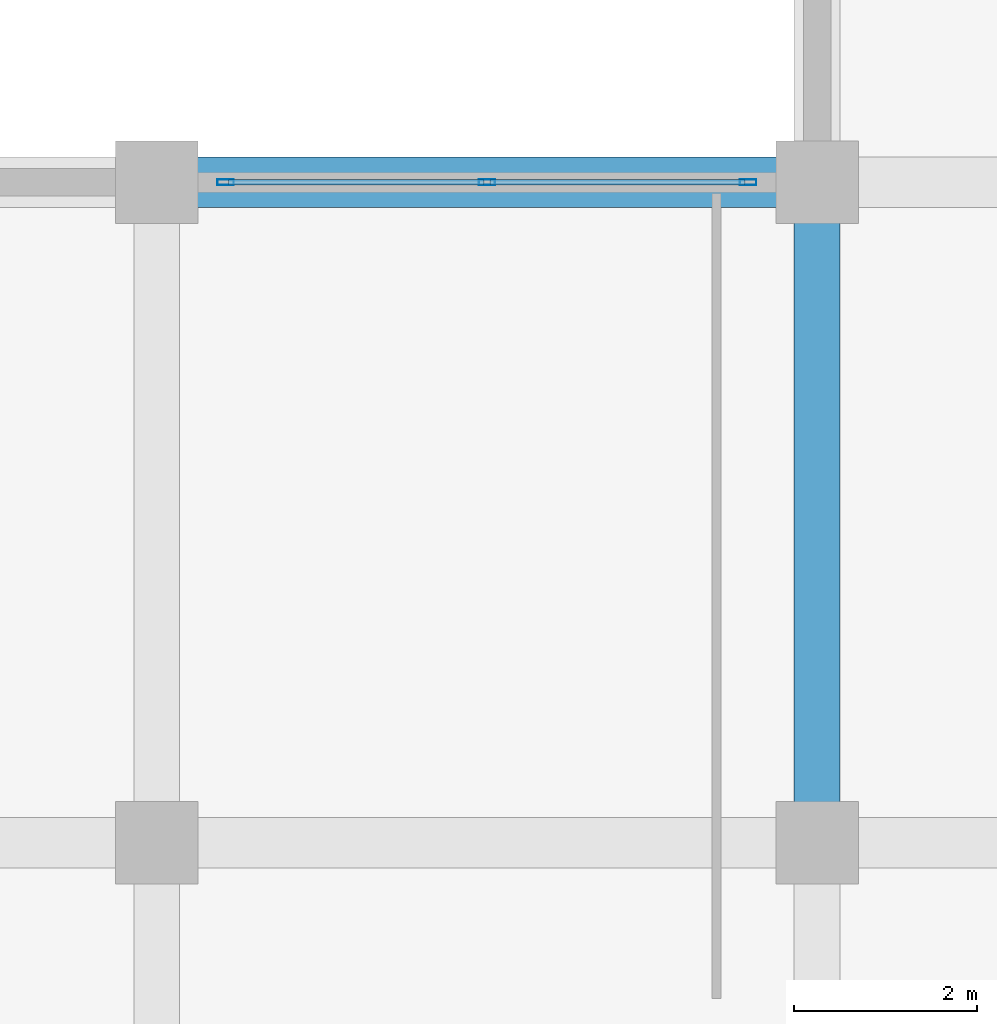
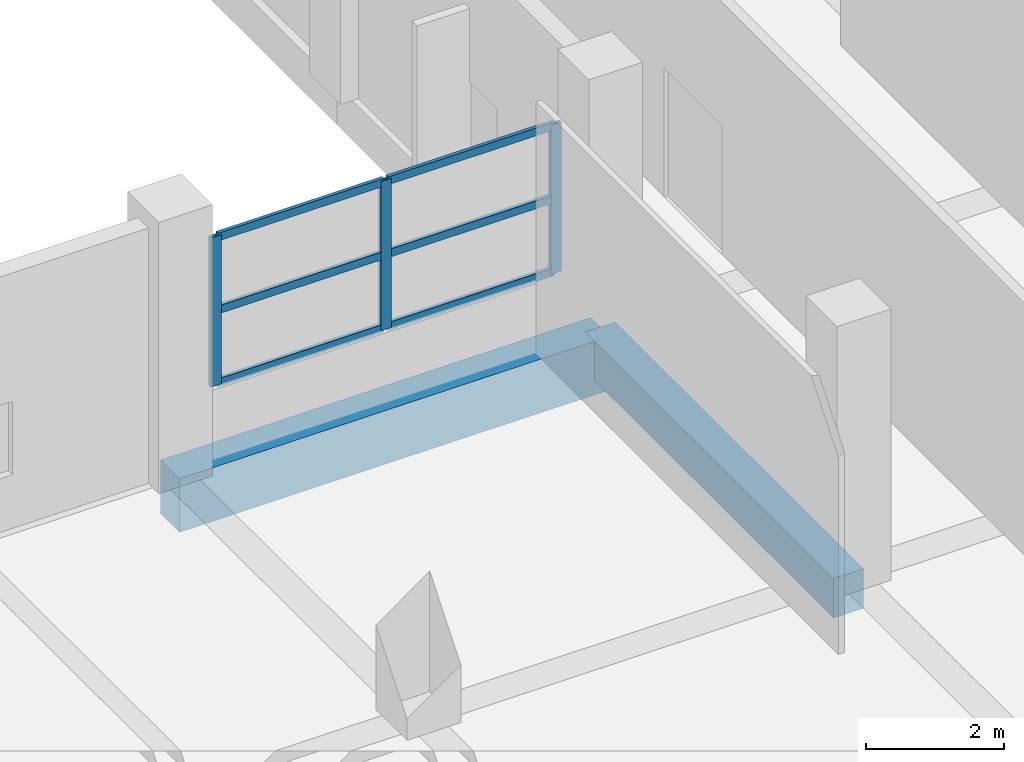
# One storey, part 38 of 181: 9 members, 2 beams, 1 element without a shape of its own.
"""IFC4 building model written with IfcOpenShell, lengths in metres."""

from ifc_helpers import new_model, si_unit, direction, frame, origin, origin_2d, place, context, subcontext, project, spatial, rectangle, hollow_rectangle, extrude, material, layer, layer_set, material_profile, profile_set, type_object, element, aggregate, save


model = new_model("IFC4")

# Units and contexts
model_context = context("Model", 3, precision=1e-05, world=origin(), true_north=direction((0.0, 1.0)))
body_context = subcontext(model_context, "Body", "Model", "MODEL_VIEW")
ifc_project = project(units=[si_unit("LENGTHUNIT", "METRE"), si_unit("AREAUNIT", "SQUARE_METRE"), si_unit("VOLUMEUNIT", "CUBIC_METRE"), si_unit("PLANEANGLEUNIT", "RADIAN"), si_unit("MASSUNIT", "GRAM", prefix="KILO")], contexts=[model_context])

# Site, building, storey
site_placement = place(None, origin())
site = spatial("IfcSite", under=ifc_project, at=site_placement, CompositionType="ELEMENT")
building_placement = place(site_placement, origin())
building = spatial("IfcBuilding", under=site, at=building_placement, Name="Seraya Terrace Polytechnic", CompositionType="ELEMENT")
storey_placement = place(building_placement, frame((0.0, 0.0, 4.800048828125)))
storey = spatial("IfcBuildingStorey", under=building, at=storey_placement, Name="L01", CompositionType="ELEMENT", Elevation=4.800048828125)

# Beams
ifc_material_1 = material(Name="Concrete C40/50", Category="concrete")
ifc_material_profile_1 = material_profile(ifc_material_1, rectangle(XDim=0.550048828125, YDim=0.949951171875, at=origin_2d()), Name="RC 550x950")
ifc_profile_set_1 = profile_set([ifc_material_profile_1], Name="Concrete C40/50")
beam_type_1 = type_object("IfcBeamType", Name="BM-03", PredefinedType="BEAM", material=ifc_profile_set_1)
beam_1_placement = place(storey_placement, frame((72.0, 28.800048828125, -0.47509765625), z_axis=(1.0, 0.0, 0.0), x_axis=(0.0, 1.0, 0.0)))
element("IfcBeam", 1, at=beam_1_placement, inside=storey, type_object=beam_type_1, Name="Beam BM-03 L01 X (72.0..79.2, 28.8)", PredefinedType="BEAM", context=body_context, shape_type="SweptSolid", body=[
    extrude(rectangle(XDim=0.550048828125, YDim=0.949951171875, at=origin_2d()), origin(), (0.0, 0.0, 1.0), 7.199951171875),
])
ifc_material_profile_2 = material_profile(ifc_material_1, rectangle(XDim=0.5, YDim=0.699951171875, at=origin_2d()), Name="RC 500x700")
ifc_profile_set_2 = profile_set([ifc_material_profile_2], Name="Concrete C40/50")
beam_type_2 = type_object("IfcBeamType", Name="BM-07", PredefinedType="BEAM", material=ifc_profile_set_2)
beam_2_placement = place(storey_placement, frame((79.199951171875, 21.60009765625, -0.35009765625), z_axis=(0.0, 1.0, 0.0), x_axis=(-1.0, 0.0, 0.0)))
element("IfcBeam", 2, at=beam_2_placement, inside=storey, type_object=beam_type_2, Name="Beam BM-07 L01 Y (79.2, 21.6..28.8)", PredefinedType="BEAM", context=body_context, shape_type="SweptSolid", body=[
    extrude(rectangle(XDim=0.5, YDim=0.699951171875, at=origin_2d()), origin(), (0.0, 0.0, 1.0), 7.199951171875),
])

# Curtain wall, members
ifc_material_2 = material(Name="Anodised aluminium EN AW-6063 T6", Category="aluminium")
ifc_layer = layer(ifc_material_2, 0.179931640625, Name="CW-04")
ifc_layer_set = layer_set([ifc_layer], Name="Anodised aluminium EN AW-6063 T6")
curtain_wall_type = type_object("IfcCurtainWallType", Name="CW-04", PredefinedType="NOTDEFINED", material=ifc_layer_set)
curtain_wall_placement = place(storey_placement, origin())
curtain_wall = element("IfcCurtainWall", 3, at=curtain_wall_placement, inside=storey, type_object=curtain_wall_type, Name="Unitised curtain wall CW-04 (CW-L01-040)", PredefinedType="NOTDEFINED")
ifc_material_profile_3 = material_profile(ifc_material_2, hollow_rectangle(XDim=0.06494140625, YDim=0.179931640625, WallThickness=0.00390625, at=origin_2d()), Name="RHS 180x65x4.0")
ifc_profile_set_3 = profile_set([ifc_material_profile_3], Name="Anodised aluminium EN AW-6063 T6")
member_type_1 = type_object("IfcMemberType", Name="CWM-01", PredefinedType="MULLION", material=ifc_profile_set_3)
member_1_placement = place(storey_placement, frame((72.75244140625, 28.800048828125, 1.239990234375), z_axis=(0.0, 0.0, 1.0), x_axis=(0.0, 1.0, 0.0)))
member_1 = element("IfcMember", 4, at=member_1_placement, type_object=member_type_1, Name="CW-04 mullion 1", PredefinedType="MULLION", context=body_context, shape_type="SweptSolid", body=[
    extrude(hollow_rectangle(XDim=0.06494140625, YDim=0.179931640625, WallThickness=0.00390625, at=origin_2d()), origin(), (0.0, 0.0, 1.0), 2.639892578125),
])
member_2_placement = place(storey_placement, frame((75.60009765625, 28.800048828125, 1.239990234375), z_axis=(0.0, 0.0, 1.0), x_axis=(0.0, 1.0, 0.0)))
member_2 = element("IfcMember", 5, at=member_2_placement, type_object=member_type_1, Name="CW-04 mullion 2", PredefinedType="MULLION", context=body_context, shape_type="SweptSolid", body=[
    extrude(hollow_rectangle(XDim=0.06494140625, YDim=0.179931640625, WallThickness=0.00390625, at=origin_2d()), origin(), (0.0, 0.0, 1.0), 2.639892578125),
])
member_3_placement = place(storey_placement, frame((78.447509765625, 28.800048828125, 1.239990234375), z_axis=(0.0, 0.0, 1.0), x_axis=(0.0, 1.0, 0.0)))
member_3 = element("IfcMember", 6, at=member_3_placement, type_object=member_type_1, Name="CW-04 mullion 3", PredefinedType="MULLION", context=body_context, shape_type="SweptSolid", body=[
    extrude(hollow_rectangle(XDim=0.06494140625, YDim=0.179931640625, WallThickness=0.00390625, at=origin_2d()), origin(), (0.0, 0.0, 1.0), 2.639892578125),
])
ifc_material_profile_4 = material_profile(ifc_material_2, hollow_rectangle(XDim=0.06005859375, YDim=0.139892578125, WallThickness=0.00341796875, at=origin_2d()), Name="RHS 140x60x3.5")
ifc_profile_set_4 = profile_set([ifc_material_profile_4], Name="Anodised aluminium EN AW-6063 T6")
member_type_2 = type_object("IfcMemberType", Name="CWT-01", PredefinedType="USERDEFINED", material=ifc_profile_set_4)
member_4_placement = place(storey_placement, frame((72.784912109375, 28.800048828125, 1.27001953125), z_axis=(1.0, 0.0, 0.0), x_axis=(0.0, 1.0, 0.0)))
member_4 = element("IfcMember", 7, at=member_4_placement, type_object=member_type_2, Name="CW-04 transom 1.1", ObjectType="TRANSOM", PredefinedType="USERDEFINED", context=body_context, shape_type="SweptSolid", body=[
    extrude(hollow_rectangle(XDim=0.06005859375, YDim=0.139892578125, WallThickness=0.00341796875, at=origin_2d()), origin(), (0.0, 0.0, 1.0), 2.782470703125),
])
member_5_placement = place(storey_placement, frame((72.784912109375, 28.800048828125, 2.56005859375), z_axis=(1.0, 0.0, 0.0), x_axis=(0.0, 1.0, 0.0)))
member_5 = element("IfcMember", 8, at=member_5_placement, type_object=member_type_2, Name="CW-04 transom 1.2", ObjectType="TRANSOM", PredefinedType="USERDEFINED", context=body_context, shape_type="SweptSolid", body=[
    extrude(hollow_rectangle(XDim=0.06005859375, YDim=0.139892578125, WallThickness=0.00341796875, at=origin_2d()), origin(), (0.0, 0.0, 1.0), 2.782470703125),
])
member_6_placement = place(storey_placement, frame((72.784912109375, 28.800048828125, 3.849853515625), z_axis=(1.0, 0.0, 0.0), x_axis=(0.0, 1.0, 0.0)))
member_6 = element("IfcMember", 9, at=member_6_placement, type_object=member_type_2, Name="CW-04 transom 1.3", ObjectType="TRANSOM", PredefinedType="USERDEFINED", context=body_context, shape_type="SweptSolid", body=[
    extrude(hollow_rectangle(XDim=0.06005859375, YDim=0.139892578125, WallThickness=0.00341796875, at=origin_2d()), origin(), (0.0, 0.0, 1.0), 2.782470703125),
])
member_7_placement = place(storey_placement, frame((75.632568359375, 28.800048828125, 1.27001953125), z_axis=(1.0, 0.0, 0.0), x_axis=(0.0, 1.0, 0.0)))
member_7 = element("IfcMember", 10, at=member_7_placement, type_object=member_type_2, Name="CW-04 transom 2.1", ObjectType="TRANSOM", PredefinedType="USERDEFINED", context=body_context, shape_type="SweptSolid", body=[
    extrude(hollow_rectangle(XDim=0.06005859375, YDim=0.139892578125, WallThickness=0.00341796875, at=origin_2d()), origin(), (0.0, 0.0, 1.0), 2.782470703125),
])
member_8_placement = place(storey_placement, frame((75.632568359375, 28.800048828125, 2.56005859375), z_axis=(1.0, 0.0, 0.0), x_axis=(0.0, 1.0, 0.0)))
member_8 = element("IfcMember", 11, at=member_8_placement, type_object=member_type_2, Name="CW-04 transom 2.2", ObjectType="TRANSOM", PredefinedType="USERDEFINED", context=body_context, shape_type="SweptSolid", body=[
    extrude(hollow_rectangle(XDim=0.06005859375, YDim=0.139892578125, WallThickness=0.00341796875, at=origin_2d()), origin(), (0.0, 0.0, 1.0), 2.782470703125),
])
member_9_placement = place(storey_placement, frame((75.632568359375, 28.800048828125, 3.849853515625), z_axis=(1.0, 0.0, 0.0), x_axis=(0.0, 1.0, 0.0)))
member_9 = element("IfcMember", 12, at=member_9_placement, type_object=member_type_2, Name="CW-04 transom 2.3", ObjectType="TRANSOM", PredefinedType="USERDEFINED", context=body_context, shape_type="SweptSolid", body=[
    extrude(hollow_rectangle(XDim=0.06005859375, YDim=0.139892578125, WallThickness=0.00341796875, at=origin_2d()), origin(), (0.0, 0.0, 1.0), 2.782470703125),
])
aggregate(curtain_wall, [member_1, member_2, member_3, member_4, member_5, member_6, member_7, member_8, member_9])

save(model, "model.ifc")
